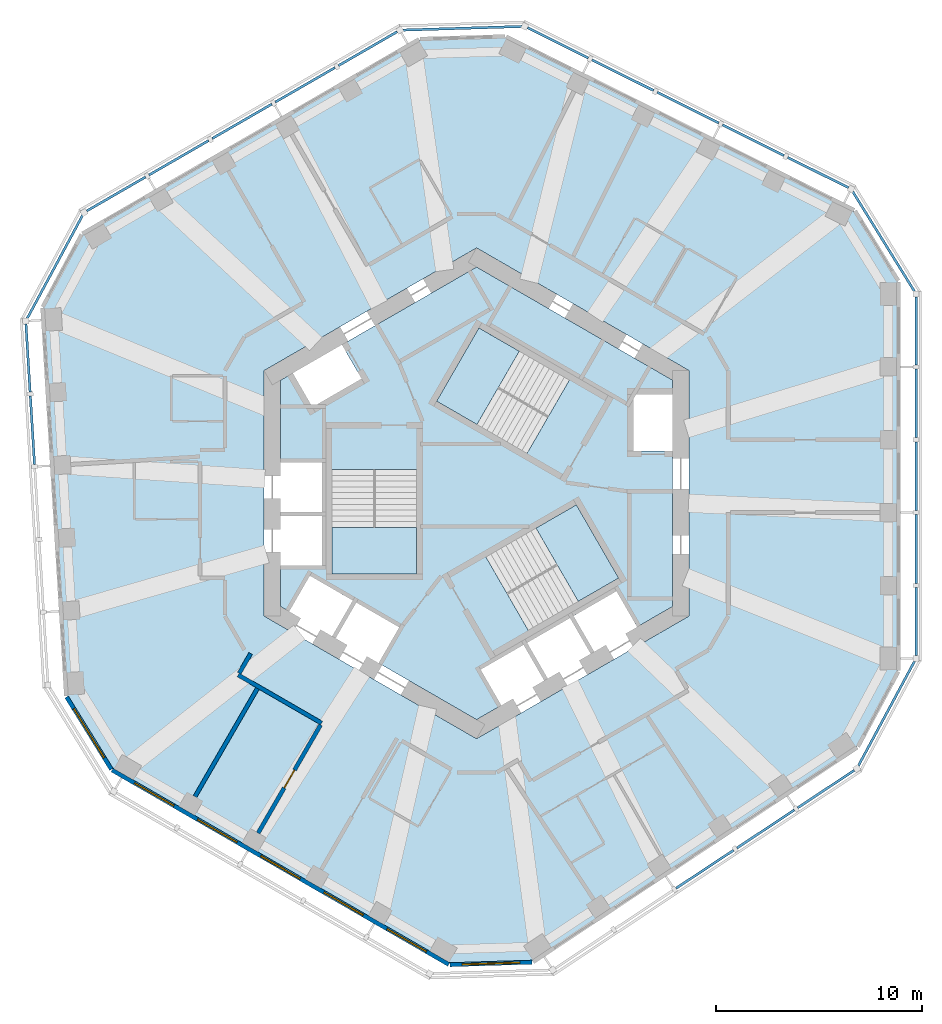
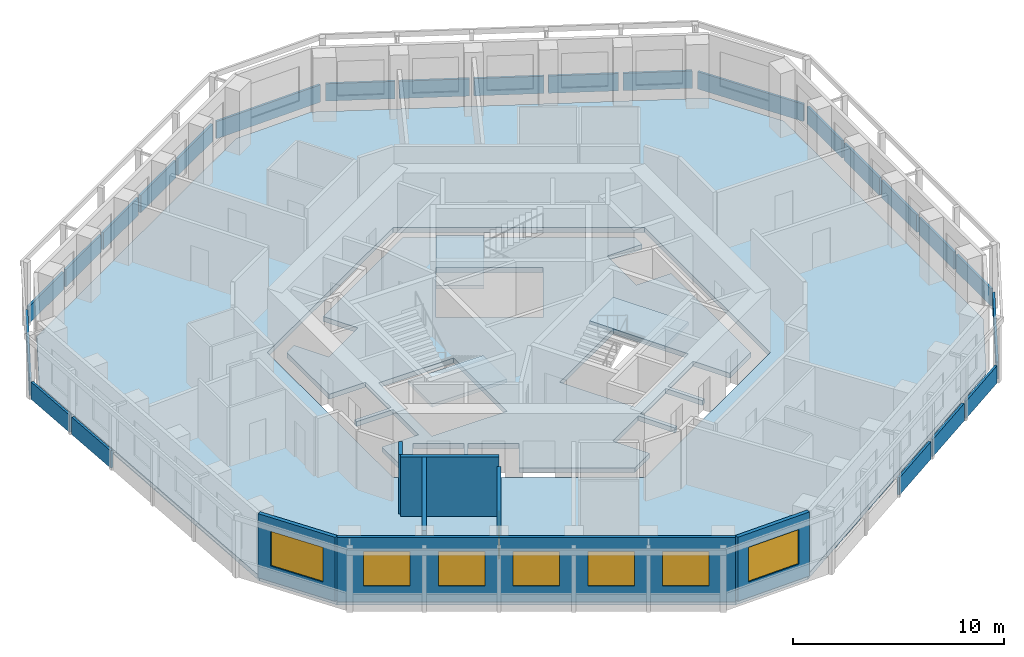
# One storey, part 3 of 11: 24 plates, 7 walls, 7 windows, 5 slabs, 1 door, 8 openings, 12 elements without a shape of their own.
"""IFC4 building model written with IfcOpenShell, lengths in metres."""

from ifc_helpers import new_model, si_unit, direction, frame, frame_2d, origin, origin_2d, place, context, subcontext, project, spatial, polyline, rectangle, outline, extrude, material, layer, layer_set, type_object, element, fill, aggregate, save


model = new_model("IFC4")

# Units and contexts
model_context = context("Model", 3, precision=1e-05, world=origin(), true_north=direction((0.0, 1.0)))
body_context = subcontext(model_context, "Body", "Model", "MODEL_VIEW")
ifc_project = project(units=[si_unit("LENGTHUNIT", "METRE"), si_unit("AREAUNIT", "SQUARE_METRE"), si_unit("VOLUMEUNIT", "CUBIC_METRE"), si_unit("PLANEANGLEUNIT", "RADIAN"), si_unit("MASSUNIT", "GRAM", prefix="KILO")], contexts=[model_context])

# Site, building, storey
site_placement = place(None, origin())
site = spatial("IfcSite", under=ifc_project, at=site_placement, CompositionType="ELEMENT")
building_placement = place(site_placement, origin())
building = spatial("IfcBuilding", under=site, at=building_placement, Name="Vanh Sen Convention Tower", CompositionType="ELEMENT")
storey_placement = place(building_placement, frame((0.0, 0.0, 232.800048828125)))
storey = spatial("IfcBuildingStorey", under=building, at=storey_placement, Name="L57", CompositionType="ELEMENT", Elevation=232.800048828125)

# Slabs
ifc_material_1 = material(Name="Concrete C40/50", Category="concrete")
ifc_layer_1 = layer(ifc_material_1, 0.280029296875)
ifc_layer_set_1 = layer_set([ifc_layer_1], Name="Concrete C40/50")
slab_type_1 = type_object("IfcSlabType", Name="Core slab 280", PredefinedType="FLOOR", material=ifc_layer_set_1)
slab_1_placement = place(storey_placement, frame((0.0, 0.0, -0.280029296875)))
element("IfcSlab", 1, at=slab_1_placement, inside=storey, type_object=slab_type_1, Name="Core slab L57", PredefinedType="FLOOR", context=body_context, shape_type="SweptSolid", body=[
    extrude(outline(polyline([(0.0, 10.9697265625), (9.5, 5.48486328125), (9.5, 4.800048828125), (7.60009765625, 4.800048828125), (7.60009765625, 2.050048828125), (9.5, 2.050048828125), (9.5, -5.48486328125), (7.781005859375, -6.477294921875), (6.781005859375, -4.7451171875), (4.70263671875, -5.9453125), (5.70263671875, -7.67724609375), (5.529296875, -7.777099609375), (4.529296875, -6.045166015625), (2.450927734375, -7.2451171875), (3.450927734375, -8.977294921875), (3.27783203125, -9.0771484375), (2.27783203125, -7.34521484375), (0.19921875, -8.545166015625), (1.19921875, -10.277099609375), (0.0, -10.9697265625), (-4.75, -8.227294921875), (-3.75, -6.4951171875), (-5.82861328125, -5.295166015625), (-6.82861328125, -7.027099609375), (-7.001708984375, -6.92724609375), (-6.001708984375, -5.1953125), (-8.080078125, -3.9951171875), (-9.080078125, -5.727294921875), (-9.5, -5.48486328125), (-9.5, -3.5), (-7.5, -3.5), (-7.5, -1.10009765625), (-9.5, -1.10009765625), (-9.5, -0.89990234375), (-7.5, -0.89990234375), (-7.5, 1.5), (-9.5, 1.5), (-9.5, 5.48486328125), (-8.906982421875, 5.8271484375), (-7.956787109375, 4.181884765625), (-5.575439453125, 5.556884765625), (-6.525390625, 7.2021484375), (0.0, 10.9697265625)]), holes=[polyline([(-7.0, 1.1494140625), (-7.0, -3.909912109375), (-2.89990234375, -3.909912109375), (-2.89990234375, 1.1494140625), (-7.0, 1.1494140625)]), polyline([(2.504638671875, -6.63671875), (6.88623046875, -4.107177734375), (4.836181640625, -0.556396484375), (0.45458984375, -3.086181640625), (2.504638671875, -6.63671875)]), polyline([(0.11376953125, 8.01708984375), (-1.936279296875, 4.466552734375), (2.4453125, 1.936767578125), (4.495361328125, 5.487548828125), (0.11376953125, 8.01708984375)])]), origin(), (0.0, 0.0, 1.0), 0.280029296875),
])
ifc_layer_2 = layer(ifc_material_1, 0.280029296875)
ifc_layer_set_2 = layer_set([ifc_layer_2], Name="Concrete C40/50")
slab_type_2 = type_object("IfcSlabType", Name="Floor slab 280 REI 120", PredefinedType="FLOOR", material=ifc_layer_set_2)
slab_2_placement = place(storey_placement, frame((0.0, 0.0, -0.280029296875)))
element("IfcSlab", 2, at=slab_2_placement, inside=storey, type_object=slab_type_2, Name="Floor slab L57 tower", PredefinedType="FLOOR", context=body_context, shape_type="SweptSolid", body=[
    extrude(outline(polyline([(20.39990234375, -8.602783203125), (20.39990234375, 10.265380859375), (18.289306640625, 13.67626953125), (1.403564453125, 22.09521484375), (-2.749755859375, 21.96826171875), (-19.090087890625, 12.5341796875), (-20.988525390625, 9.000732421875), (-19.8369140625, -9.83203125), (-17.650146484375, -13.365478515625), (-1.309814453125, -22.799560546875), (2.699462890625, -22.677001953125), (18.433349609375, -12.26318359375), (20.39990234375, -8.602783203125)]), holes=[polyline([(0.0, 11.893310546875), (-10.300048828125, 5.94677734375), (-10.300048828125, -5.94677734375), (0.0, -11.893310546875), (10.300048828125, -5.94677734375), (10.300048828125, 5.94677734375), (0.0, 11.893310546875)])]), origin(), (0.0, 0.0, 1.0), 0.280029296875),
])

# Curtain wall, plates
ifc_material_2 = material(Name="Concrete C50/60", Category="concrete")
curtain_wall_type = type_object("IfcCurtainWallType", Name="Outer skin office zone", PredefinedType="NOTDEFINED", material=ifc_material_2)
curtain_wall_1_placement = place(storey_placement, origin())
curtain_wall_1 = element("IfcCurtainWall", 3, at=curtain_wall_1_placement, inside=storey, type_object=curtain_wall_type, Name="OUTER SKIN E L57", PredefinedType="NOTDEFINED")
ifc_layer_3 = layer(ifc_material_2, 0.1201171875)
ifc_layer_set_3 = layer_set([ifc_layer_3], Name="Concrete C50/60")
plate_type = type_object("IfcPlateType", Name="Outer skin precast screen panel 120", PredefinedType="CURTAIN_PANEL", material=ifc_layer_set_3)
plate_1_placement = place(storey_placement, frame((21.300048828125, -6.2109375, 0.0), z_axis=(0.0, 0.0, 1.0), x_axis=(0.0, 1.0, 0.0)))
plate_1 = element("IfcPlate", 4, at=plate_1_placement, type_object=plate_type, Name="OUTER SKIN screen panel E-1", PredefinedType="CURTAIN_PANEL", context=body_context, shape_type="SweptSolid", body=[
    extrude(rectangle(XDim=3.28369140625, YDim=0.1201171875, at=origin_2d()), origin(), (0.0, 0.0, 1.0), 1.0),
])
plate_2_placement = place(storey_placement, frame((21.300048828125, -2.702392578125, 0.0), z_axis=(0.0, 0.0, 1.0), x_axis=(0.0, 1.0, 0.0)))
plate_2 = element("IfcPlate", 5, at=plate_2_placement, type_object=plate_type, Name="OUTER SKIN screen panel E-2", PredefinedType="CURTAIN_PANEL", context=body_context, shape_type="SweptSolid", body=[
    extrude(rectangle(XDim=3.333740234375, YDim=0.1201171875, at=origin_2d()), origin(), (0.0, 0.0, 1.0), 1.0),
])
plate_3_placement = place(storey_placement, frame((21.300048828125, 0.831298828125, 0.0), z_axis=(0.0, 0.0, 1.0), x_axis=(0.0, 1.0, 0.0)))
plate_3 = element("IfcPlate", 6, at=plate_3_placement, type_object=plate_type, Name="OUTER SKIN screen panel E-3", PredefinedType="CURTAIN_PANEL", context=body_context, shape_type="SweptSolid", body=[
    extrude(rectangle(XDim=3.33349609375, YDim=0.1201171875, at=origin_2d()), origin(), (0.0, 0.0, 1.0), 1.0),
])
plate_4_placement = place(storey_placement, frame((21.300048828125, 4.364990234375, 0.0), z_axis=(0.0, 0.0, 1.0), x_axis=(0.0, 1.0, 0.0)))
plate_4 = element("IfcPlate", 7, at=plate_4_placement, type_object=plate_type, Name="OUTER SKIN screen panel E-4", PredefinedType="CURTAIN_PANEL", context=body_context, shape_type="SweptSolid", body=[
    extrude(rectangle(XDim=3.33349609375, YDim=0.1201171875, at=origin_2d()), origin(), (0.0, 0.0, 1.0), 1.0),
])
plate_5_placement = place(storey_placement, frame((21.300048828125, 7.87353515625, 0.0), z_axis=(0.0, 0.0, 1.0), x_axis=(0.0, 1.0, 0.0)))
plate_5 = element("IfcPlate", 8, at=plate_5_placement, type_object=plate_type, Name="OUTER SKIN screen panel E-5", PredefinedType="CURTAIN_PANEL", context=body_context, shape_type="SweptSolid", body=[
    extrude(rectangle(XDim=3.28369140625, YDim=0.1201171875, at=origin_2d()), origin(), (0.0, 0.0, 1.0), 1.0),
])
aggregate(curtain_wall_1, [plate_1, plate_2, plate_3, plate_4, plate_5])

# Curtain wall, plate
curtain_wall_2_placement = place(storey_placement, origin())
curtain_wall_2 = element("IfcCurtainWall", 9, at=curtain_wall_2_placement, inside=storey, type_object=curtain_wall_type, Name="OUTER SKIN CH1 L57", PredefinedType="NOTDEFINED")
plate_6_placement = place(storey_placement, frame((19.726806640625, 12.20751953125, 0.0), z_axis=(0.0, 0.0, 1.0), x_axis=(-0.526216891938, 0.850350388157, 0.0)))
plate_6 = element("IfcPlate", 10, at=plate_6_placement, type_object=plate_type, Name="OUTER SKIN screen panel CH1-1", PredefinedType="CURTAIN_PANEL", context=body_context, shape_type="SweptSolid", body=[
    extrude(rectangle(XDim=5.6787109375, YDim=0.1201171875, at=origin_2d()), origin(), (0.0, 0.0, 1.0), 1.0),
])
aggregate(curtain_wall_2, [plate_6])

# Curtain wall, plates
curtain_wall_3_placement = place(storey_placement, origin())
curtain_wall_3 = element("IfcCurtainWall", 11, at=curtain_wall_3_placement, inside=storey, type_object=curtain_wall_type, Name="OUTER SKIN NE L57", PredefinedType="NOTDEFINED")
plate_7_placement = place(storey_placement, frame((16.55029296875, 15.549072265625, 0.0), z_axis=(0.0, 0.0, 1.0), x_axis=(-0.894930467757, 0.446205622868, 0.0)))
plate_7 = element("IfcPlate", 12, at=plate_7_placement, type_object=plate_type, Name="OUTER SKIN screen panel NE-1", PredefinedType="CURTAIN_PANEL", context=body_context, shape_type="SweptSolid", body=[
    extrude(rectangle(XDim=3.28369140625, YDim=0.1201171875, at=origin_2d()), origin(), (0.0, 0.0, 1.0), 1.0),
])
plate_8_placement = place(storey_placement, frame((13.410400390625, 17.114501953125, 0.0), z_axis=(0.0, 0.0, 1.0), x_axis=(-0.894935919121, 0.446194689197, 0.0)))
plate_8 = element("IfcPlate", 13, at=plate_8_placement, type_object=plate_type, Name="OUTER SKIN screen panel NE-2", PredefinedType="CURTAIN_PANEL", context=body_context, shape_type="SweptSolid", body=[
    extrude(rectangle(XDim=3.333740234375, YDim=0.1201171875, at=origin_2d()), origin(), (0.0, 0.0, 1.0), 1.0),
])
plate_9_placement = place(storey_placement, frame((10.248046875, 18.691162109375, 0.0), z_axis=(0.0, 0.0, 1.0), x_axis=(-0.894935919121, 0.446194689197, 0.0)))
plate_9 = element("IfcPlate", 14, at=plate_9_placement, type_object=plate_type, Name="OUTER SKIN screen panel NE-3", PredefinedType="CURTAIN_PANEL", context=body_context, shape_type="SweptSolid", body=[
    extrude(rectangle(XDim=3.333740234375, YDim=0.1201171875, at=origin_2d()), origin(), (0.0, 0.0, 1.0), 1.0),
])
plate_10_placement = place(storey_placement, frame((7.085693359375, 20.267822265625, 0.0), z_axis=(0.0, 0.0, 1.0), x_axis=(-0.894935919121, 0.446194689197, 0.0)))
plate_10 = element("IfcPlate", 15, at=plate_10_placement, type_object=plate_type, Name="OUTER SKIN screen panel NE-4", PredefinedType="CURTAIN_PANEL", context=body_context, shape_type="SweptSolid", body=[
    extrude(rectangle(XDim=3.333740234375, YDim=0.1201171875, at=origin_2d()), origin(), (0.0, 0.0, 1.0), 1.0),
])
plate_11_placement = place(storey_placement, frame((3.945556640625, 21.83349609375, 0.0), z_axis=(0.0, 0.0, 1.0), x_axis=(-0.894930467757, 0.446205622868, 0.0)))
plate_11 = element("IfcPlate", 16, at=plate_11_placement, type_object=plate_type, Name="OUTER SKIN screen panel NE-5", PredefinedType="CURTAIN_PANEL", context=body_context, shape_type="SweptSolid", body=[
    extrude(rectangle(XDim=3.28369140625, YDim=0.1201171875, at=origin_2d()), origin(), (0.0, 0.0, 1.0), 1.0),
])
aggregate(curtain_wall_3, [plate_7, plate_8, plate_9, plate_10, plate_11])

# Curtain wall, plate
curtain_wall_4_placement = place(storey_placement, origin())
curtain_wall_4 = element("IfcCurtainWall", 17, at=curtain_wall_4_placement, inside=storey, type_object=curtain_wall_type, Name="OUTER SKIN CH2 L57", PredefinedType="NOTDEFINED")
plate_12_placement = place(storey_placement, frame((-0.688720703125, 22.540283203125, 0.0), z_axis=(0.0, 0.0, 1.0), x_axis=(-0.999533430924, -0.030543746755, 0.0)))
plate_12 = element("IfcPlate", 18, at=plate_12_placement, type_object=plate_type, Name="OUTER SKIN screen panel CH2-1", PredefinedType="CURTAIN_PANEL", context=body_context, shape_type="SweptSolid", body=[
    extrude(rectangle(XDim=5.764404296875, YDim=0.1201171875, at=origin_2d()), origin(), (0.0, 0.0, 1.0), 1.0),
])
aggregate(curtain_wall_4, [plate_12])

# Curtain wall, plates
curtain_wall_5_placement = place(storey_placement, origin())
curtain_wall_5 = element("IfcCurtainWall", 19, at=curtain_wall_5_placement, inside=storey, type_object=curtain_wall_type, Name="OUTER SKIN NW L57", PredefinedType="NOTDEFINED")
plate_13_placement = place(storey_placement, frame((-5.271240234375, 21.5517578125, 0.0), z_axis=(0.0, 0.0, 1.0), x_axis=(-0.866026276448, -0.4999984885, 0.0)))
plate_13 = element("IfcPlate", 20, at=plate_13_placement, type_object=plate_type, Name="OUTER SKIN screen panel NW-1", PredefinedType="CURTAIN_PANEL", context=body_context, shape_type="SweptSolid", body=[
    extrude(rectangle(XDim=3.28369140625, YDim=0.1201171875, at=origin_2d()), origin(), (0.0, 0.0, 1.0), 1.0),
])
plate_14_placement = place(storey_placement, frame((-8.309814453125, 19.797607421875, 0.0), z_axis=(0.0, 0.0, 1.0), x_axis=(-0.866026276448, -0.4999984885, 0.0)))
plate_14 = element("IfcPlate", 21, at=plate_14_placement, type_object=plate_type, Name="OUTER SKIN screen panel NW-2", PredefinedType="CURTAIN_PANEL", context=body_context, shape_type="SweptSolid", body=[
    extrude(rectangle(XDim=3.33349609375, YDim=0.1201171875, at=origin_2d()), origin(), (0.0, 0.0, 1.0), 1.0),
])
plate_15_placement = place(storey_placement, frame((-11.369873046875, 18.03076171875, 0.0), z_axis=(0.0, 0.0, 1.0), x_axis=(-0.866026276448, -0.4999984885, 0.0)))
plate_15 = element("IfcPlate", 22, at=plate_15_placement, type_object=plate_type, Name="OUTER SKIN screen panel NW-3", PredefinedType="CURTAIN_PANEL", context=body_context, shape_type="SweptSolid", body=[
    extrude(rectangle(XDim=3.33349609375, YDim=0.1201171875, at=origin_2d()), origin(), (0.0, 0.0, 1.0), 1.0),
])
plate_16_placement = place(storey_placement, frame((-14.43017578125, 16.263916015625, 0.0), z_axis=(0.0, 0.0, 1.0), x_axis=(-0.866014058921, -0.500019649364, 0.0)))
plate_16 = element("IfcPlate", 23, at=plate_16_placement, type_object=plate_type, Name="OUTER SKIN screen panel NW-4", PredefinedType="CURTAIN_PANEL", context=body_context, shape_type="SweptSolid", body=[
    extrude(rectangle(XDim=3.333740234375, YDim=0.1201171875, at=origin_2d()), origin(), (0.0, 0.0, 1.0), 1.0),
])
plate_17_placement = place(storey_placement, frame((-17.46875, 14.509521484375, 0.0), z_axis=(0.0, 0.0, 1.0), x_axis=(-0.866033257659, -0.499986396443, 0.0)))
plate_17 = element("IfcPlate", 24, at=plate_17_placement, type_object=plate_type, Name="OUTER SKIN screen panel NW-5", PredefinedType="CURTAIN_PANEL", context=body_context, shape_type="SweptSolid", body=[
    extrude(rectangle(XDim=3.28369140625, YDim=0.1201171875, at=origin_2d()), origin(), (0.0, 0.0, 1.0), 1.0),
])
aggregate(curtain_wall_5, [plate_13, plate_14, plate_15, plate_16, plate_17])

# Curtain wall, plate
curtain_wall_6_placement = place(storey_placement, origin())
curtain_wall_6 = element("IfcCurtainWall", 25, at=curtain_wall_6_placement, inside=storey, type_object=curtain_wall_type, Name="OUTER SKIN CH3 L57", PredefinedType="NOTDEFINED")
plate_18_placement = place(storey_placement, frame((-20.435302734375, 10.980224609375, 0.0), z_axis=(0.0, 0.0, 1.0), x_axis=(-0.473307367584, -0.880897346909, 0.0)))
plate_18 = element("IfcPlate", 26, at=plate_18_placement, type_object=plate_type, Name="OUTER SKIN screen panel CH3-1", PredefinedType="CURTAIN_PANEL", context=body_context, shape_type="SweptSolid", body=[
    extrude(rectangle(XDim=5.6787109375, YDim=0.1201171875, at=origin_2d()), origin(), (0.0, 0.0, 1.0), 1.0),
])
aggregate(curtain_wall_6, [plate_18])

# Curtain wall, plates
curtain_wall_7_placement = place(storey_placement, origin())
curtain_wall_7 = element("IfcCurtainWall", 27, at=curtain_wall_7_placement, inside=storey, type_object=curtain_wall_type, Name="OUTER SKIN W L57", PredefinedType="NOTDEFINED")
plate_19_placement = place(storey_placement, frame((-21.740966796875, 6.55859375, 0.0), z_axis=(0.0, 0.0, 1.0), x_axis=(0.061043313312, -0.998135118058, 0.0)))
plate_19 = element("IfcPlate", 28, at=plate_19_placement, type_object=plate_type, Name="OUTER SKIN screen panel W-1", PredefinedType="CURTAIN_PANEL", context=body_context, shape_type="SweptSolid", body=[
    extrude(rectangle(XDim=3.28369140625, YDim=0.1201171875, at=origin_2d()), origin(), (0.0, 0.0, 1.0), 1.0),
])
plate_20_placement = place(storey_placement, frame((-21.526611328125, 3.056396484375, 0.0), z_axis=(0.0, 0.0, 1.0), x_axis=(0.061041571238, -0.998135224597, 0.0)))
plate_20 = element("IfcPlate", 29, at=plate_20_placement, type_object=plate_type, Name="OUTER SKIN screen panel W-2", PredefinedType="CURTAIN_PANEL", context=body_context, shape_type="SweptSolid", body=[
    extrude(rectangle(XDim=3.333740234375, YDim=0.1201171875, at=origin_2d()), origin(), (0.0, 0.0, 1.0), 1.0),
])
aggregate(curtain_wall_7, [plate_19, plate_20])

curtain_wall_8_placement = place(storey_placement, origin())
curtain_wall_8 = element("IfcCurtainWall", 30, at=curtain_wall_8_placement, inside=storey, type_object=curtain_wall_type, Name="OUTER SKIN SE L57", PredefinedType="NOTDEFINED")
plate_21_placement = place(storey_placement, frame((11.06298828125, -18.220703125, 0.0), z_axis=(0.0, 0.0, 1.0), x_axis=(0.833896418343, 0.551920975752, 0.0)))
plate_21 = element("IfcPlate", 31, at=plate_21_placement, type_object=plate_type, Name="OUTER SKIN screen panel SE-3", PredefinedType="CURTAIN_PANEL", context=body_context, shape_type="SweptSolid", body=[
    extrude(rectangle(XDim=3.333740234375, YDim=0.1201171875, at=origin_2d()), origin(), (0.0, 0.0, 1.0), 1.0),
])
plate_22_placement = place(storey_placement, frame((14.009765625, -16.270263671875, 0.0), z_axis=(0.0, 0.0, 1.0), x_axis=(0.833874262143, 0.551954450055, 0.0)))
plate_22 = element("IfcPlate", 32, at=plate_22_placement, type_object=plate_type, Name="OUTER SKIN screen panel SE-4", PredefinedType="CURTAIN_PANEL", context=body_context, shape_type="SweptSolid", body=[
    extrude(rectangle(XDim=3.33349609375, YDim=0.1201171875, at=origin_2d()), origin(), (0.0, 0.0, 1.0), 1.0),
])
plate_23_placement = place(storey_placement, frame((16.935546875, -14.333740234375, 0.0), z_axis=(0.0, 0.0, 1.0), x_axis=(0.833896418343, 0.551920975752, 0.0)))
plate_23 = element("IfcPlate", 33, at=plate_23_placement, type_object=plate_type, Name="OUTER SKIN screen panel SE-5", PredefinedType="CURTAIN_PANEL", context=body_context, shape_type="SweptSolid", body=[
    extrude(rectangle(XDim=3.28369140625, YDim=0.1201171875, at=origin_2d()), origin(), (0.0, 0.0, 1.0), 1.0),
])
aggregate(curtain_wall_8, [plate_21, plate_22, plate_23])

# Curtain wall, plate
curtain_wall_9_placement = place(storey_placement, origin())
curtain_wall_9 = element("IfcCurtainWall", 34, at=curtain_wall_9_placement, inside=storey, type_object=curtain_wall_type, Name="OUTER SKIN CH6 L57", PredefinedType="NOTDEFINED")
plate_24_placement = place(storey_placement, frame((19.864990234375, -10.673828125, 0.0), z_axis=(0.0, 0.0, 1.0), x_axis=(0.473313517396, 0.880894042579, 0.0)))
plate_24 = element("IfcPlate", 35, at=plate_24_placement, type_object=plate_type, Name="OUTER SKIN screen panel CH6-1", PredefinedType="CURTAIN_PANEL", context=body_context, shape_type="SweptSolid", body=[
    extrude(rectangle(XDim=5.76416015625, YDim=0.1201171875, at=origin_2d()), origin(), (0.0, 0.0, 1.0), 1.0),
])
aggregate(curtain_wall_9, [plate_24])

# Stair, slab
ifc_material_3 = material(Name="Concrete C50/60", Category="concrete")
stair_type_1 = type_object("IfcStairType", Name="Exit stair ST1 22 risers at 168.2", PredefinedType="HALF_TURN_STAIR", material=ifc_material_3)
stair_1_placement = place(storey_placement, origin())
stair_1 = element("IfcStair", 36, at=stair_1_placement, inside=storey, type_object=stair_type_1, Name="Exit stair ST1 L57", PredefinedType="HALF_TURN_STAIR")
ifc_layer_4 = layer(ifc_material_1, 0.199951171875)
ifc_layer_set_4 = layer_set([ifc_layer_4], Name="Concrete C40/50")
slab_type_3 = type_object("IfcSlabType", Name="Stair landing 200", PredefinedType="LANDING", material=ifc_layer_set_4)
slab_3_placement = place(storey_placement, frame((0.0, 0.0, 1.64990234375)))
slab_3 = element("IfcSlab", 37, at=slab_3_placement, type_object=slab_type_3, Name="ST1 landing 1", PredefinedType="LANDING", context=body_context, shape_type="SweptSolid", body=[
    extrude(outline(polyline([(2.07177734375, 6.88671875), (0.11376953125, 8.01708984375), (-1.936279296875, 4.466552734375), (0.021728515625, 3.336181640625), (2.07177734375, 6.88671875)])), origin(), (0.0, 0.0, 1.0), 0.199951171875),
])
aggregate(stair_1, [slab_3])

stair_type_2 = type_object("IfcStairType", Name="Exit stair ST2 22 risers at 168.2", PredefinedType="HALF_TURN_STAIR", material=ifc_material_3)
stair_2_placement = place(storey_placement, origin())
stair_2 = element("IfcStair", 38, at=stair_2_placement, inside=storey, type_object=stair_type_2, Name="Exit stair ST2 L57", PredefinedType="HALF_TURN_STAIR")
slab_4_placement = place(storey_placement, frame((0.0, 0.0, 1.64990234375)))
slab_4 = element("IfcSlab", 39, at=slab_4_placement, type_object=slab_type_3, Name="ST2 landing 1", PredefinedType="LANDING", context=body_context, shape_type="SweptSolid", body=[
    extrude(outline(polyline([(-7.0, -1.6494140625), (-7.0, -3.909912109375), (-2.89990234375, -3.909912109375), (-2.89990234375, -1.6494140625), (-7.0, -1.6494140625)])), origin(), (0.0, 0.0, 1.0), 0.199951171875),
])
aggregate(stair_2, [slab_4])

stair_type_3 = type_object("IfcStairType", Name="Exit stair ST3 22 risers at 168.2", PredefinedType="HALF_TURN_STAIR", material=ifc_material_3)
stair_3_placement = place(storey_placement, origin())
stair_3 = element("IfcStair", 40, at=stair_3_placement, inside=storey, type_object=stair_type_3, Name="Exit stair ST3 L57", PredefinedType="HALF_TURN_STAIR")
slab_5_placement = place(storey_placement, frame((0.0, 0.0, 1.64990234375)))
slab_5 = element("IfcSlab", 41, at=slab_5_placement, type_object=slab_type_3, Name="ST3 landing 1", PredefinedType="LANDING", context=body_context, shape_type="SweptSolid", body=[
    extrude(outline(polyline([(4.92822265625, -5.237548828125), (6.88623046875, -4.107177734375), (4.836181640625, -0.556396484375), (2.87841796875, -1.686767578125), (4.92822265625, -5.237548828125)])), origin(), (0.0, 0.0, 1.0), 0.199951171875),
])
aggregate(stair_3, [slab_5])

# Walls
ifc_material_4 = material(Name="Gypsum board on steel studs with mineral wool", Category="steel")
ifc_layer_5 = layer(ifc_material_4, 0.199951171875)
ifc_layer_set_5 = layer_set([ifc_layer_5], Name="Gypsum board on steel studs with mineral wool")
wall_type_1 = type_object("IfcWallType", Name="Corridor partition wall 200", PredefinedType="PARTITIONING", material=ifc_layer_set_5)
wall_1_placement = place(storey_placement, frame((-11.551025390625, -8.80517578125, 0.0), z_axis=(0.0, 0.0, 1.0), x_axis=(0.866038310922, -0.499977643516, 0.0)))
element("IfcWall", 42, at=wall_1_placement, inside=storey, type_object=wall_type_1, Name="Corridor partition wall 200", PredefinedType="PARTITIONING", context=body_context, shape_type="SweptSolid", body=[
    extrude(rectangle(XDim=4.665283203125, YDim=0.199951171875, at=frame_2d((2.33251953125, 0.0))), origin(), (0.0, 0.0, 1.0), 3.419921875),
])
wall_2_placement = place(storey_placement, frame((-10.95068359375, -7.764892578125, 0.0), z_axis=(0.0, 0.0, 1.0), x_axis=(-0.499978356969, -0.866037899034, 0.0)))
element("IfcWall", 43, at=wall_2_placement, inside=storey, type_object=wall_type_1, Name="Corridor partition wall 200", PredefinedType="PARTITIONING", context=body_context, shape_type="SweptSolid", body=[
    extrude(rectangle(XDim=1.10107421875, YDim=0.199951171875, at=frame_2d((0.550537109375, 0.0))), origin(), (0.0, 0.0, 1.0), 3.419921875),
])

# Wall, opening, door
wall_3_placement = place(storey_placement, frame((-10.585205078125, -16.462890625, 0.0), z_axis=(0.0, 0.0, 1.0), x_axis=(0.499993802756, 0.866028981735, 0.0)))
wall_3 = element("IfcWall", 44, at=wall_3_placement, inside=storey, type_object=wall_type_1, Name="Corridor partition wall 200", PredefinedType="PARTITIONING", context=body_context, shape_type="SweptSolid", body=[
    extrude(rectangle(XDim=6.048828125, YDim=0.199951171875, at=frame_2d((3.0244140625, 0.0))), origin(), (0.0, 0.0, 1.0), 2.869873046875),
])
opening_1_placement = place(wall_3_placement, frame((2.5244140625, 0.0, 0.0)))
opening_1 = element("IfcOpeningElement", 45, at=opening_1_placement, cuts=wall_3, Name="Opening D56111", PredefinedType="OPENING", context=body_context, shape_type="SweptSolid", body=[
    extrude(rectangle(XDim=1.0, YDim=2.10009765625, at=frame_2d((0.5, 1.050048828125))), frame((0.0, 0.10986328125, 0.0), z_axis=(0.0, -1.0, 0.0), x_axis=(1.0, 0.0, 0.0)), (0.0, 0.0, 1.0), 0.219970703125),
])
ifc_material_5 = material(Name="Glazed fire door in steel frame", Category="steel")
door_type = type_object("IfcDoorType", Name="Tenant entrance door 1000", OperationType="SINGLE_SWING_LEFT", PredefinedType="DOOR", material=ifc_material_5)
door_placement = place(opening_1_placement, origin())
door = element("IfcDoor", 46, at=door_placement, inside=storey, type_object=door_type, Name="Tenant suite entrance door D56111", OperationType="SINGLE_SWING_LEFT", OverallHeight=2.10009765625, OverallWidth=1.0, PredefinedType="DOOR", context=body_context, shape_type="SweptSolid", body=[
    extrude(rectangle(XDim=1.0, YDim=2.10009765625, at=frame_2d((0.5, 1.050048828125))), frame((0.0, 0.02490234375, 0.0), z_axis=(0.0, -1.0, 0.0), x_axis=(1.0, 0.0, 0.0)), (0.0, 0.0, 1.0), 0.050048828125),
])
fill(opening_1, door)

# Wall, opening, window
ifc_material_6 = material(Name="Insulated lightweight infill wall")
ifc_layer_6 = layer(ifc_material_6, 0.199951171875)
ifc_layer_set_6 = layer_set([ifc_layer_6], Name="Insulated lightweight infill wall")
wall_type_2 = type_object("IfcWallType", Name="External wall 200", PredefinedType="STANDARD", material=ifc_layer_set_6)
wall_4_placement = place(storey_placement, frame((-19.872802734375, -9.869140625, 0.0), z_axis=(0.0, 0.0, 1.0), x_axis=(0.52626914263, -0.850318051975, 0.0)))
wall_4 = element("IfcWall", 47, at=wall_4_placement, inside=storey, type_object=wall_type_2, Name="External wall CH4 L57", PredefinedType="STANDARD", context=body_context, shape_type="SweptSolid", body=[
    extrude(rectangle(XDim=4.130126953125, YDim=0.199951171875, at=frame_2d((2.06494140625, 0.0))), origin(), (0.0, 0.0, 1.0), 3.699951171875),
])
opening_2_placement = place(wall_4_placement, frame((0.6650390625, 0.0, 0.89990234375)))
opening_2 = element("IfcOpeningElement", 48, at=opening_2_placement, cuts=wall_4, Name="Opening WO4-CH41", PredefinedType="OPENING", context=body_context, shape_type="SweptSolid", body=[
    extrude(rectangle(XDim=2.800048828125, YDim=2.0, at=frame_2d((1.39990234375, 1.0))), frame((0.0, 0.10986328125, 0.0), z_axis=(0.0, -1.0, 0.0), x_axis=(1.0, 0.0, 0.0)), (0.0, 0.0, 1.0), 0.219970703125),
])
ifc_material_7 = material(Name="Aluminium frame with clear low-emissivity glass", Category="aluminium")
window_type_1 = type_object("IfcWindowType", Name="Office window 2800 x 2000", PartitioningType="SINGLE_PANEL", PredefinedType="WINDOW", material=ifc_material_7)
window_1_placement = place(opening_2_placement, origin())
window_1 = element("IfcWindow", 49, at=window_1_placement, inside=storey, type_object=window_type_1, Name="Window WO4-CH41", OverallHeight=2.0, OverallWidth=2.800048828125, PartitioningType="SINGLE_PANEL", PredefinedType="WINDOW", context=body_context, shape_type="SweptSolid", body=[
    extrude(rectangle(XDim=2.800048828125, YDim=2.0, at=frame_2d((1.39990234375, 1.0))), frame((0.0, 0.030029296875, 0.0), z_axis=(0.0, -1.0, 0.0), x_axis=(1.0, 0.0, 0.0)), (0.0, 0.0, 1.0), 0.06005859375),
])
fill(opening_2, window_1)

# Wall, openings, windows
wall_5_placement = place(storey_placement, frame((-17.664306640625, -13.4150390625, 0.0), z_axis=(0.0, 0.0, 1.0), x_axis=(0.866026555358, -0.49999800541, 0.0)))
wall_5 = element("IfcWall", 50, at=wall_5_placement, inside=storey, type_object=wall_type_2, Name="External wall SW L57", PredefinedType="STANDARD", context=body_context, shape_type="SweptSolid", body=[
    extrude(rectangle(XDim=18.84130859375, YDim=0.199951171875, at=frame_2d((9.420654296875, 0.0))), origin(), (0.0, 0.0, 1.0), 3.699951171875),
])
opening_3_placement = place(wall_5_placement, frame((1.254150390625, 0.0, 0.89990234375)))
opening_3 = element("IfcOpeningElement", 51, at=opening_3_placement, cuts=wall_5, Name="Opening WO3-SW1", PredefinedType="OPENING", context=body_context, shape_type="SweptSolid", body=[
    extrude(rectangle(XDim=2.199951171875, YDim=2.0, at=frame_2d((1.10009765625, 1.0))), frame((0.0, 0.10986328125, 0.0), z_axis=(0.0, -1.0, 0.0), x_axis=(1.0, 0.0, 0.0)), (0.0, 0.0, 1.0), 0.219970703125),
])
opening_4_placement = place(wall_5_placement, frame((4.787841796875, 0.0, 0.89990234375)))
opening_4 = element("IfcOpeningElement", 52, at=opening_4_placement, cuts=wall_5, Name="Opening WO3-SW2", PredefinedType="OPENING", context=body_context, shape_type="SweptSolid", body=[
    extrude(rectangle(XDim=2.199951171875, YDim=2.0, at=frame_2d((1.10009765625, 1.0))), frame((0.0, 0.10986328125, 0.0), z_axis=(0.0, -1.0, 0.0), x_axis=(1.0, 0.0, 0.0)), (0.0, 0.0, 1.0), 0.219970703125),
])
opening_5_placement = place(wall_5_placement, frame((8.321533203125, 0.0, 0.89990234375)))
opening_5 = element("IfcOpeningElement", 53, at=opening_5_placement, cuts=wall_5, Name="Opening WO3-SW3", PredefinedType="OPENING", context=body_context, shape_type="SweptSolid", body=[
    extrude(rectangle(XDim=2.199951171875, YDim=2.0, at=frame_2d((1.10009765625, 1.0))), frame((0.0, 0.10986328125, 0.0), z_axis=(0.0, -1.0, 0.0), x_axis=(1.0, 0.0, 0.0)), (0.0, 0.0, 1.0), 0.219970703125),
])
opening_6_placement = place(wall_5_placement, frame((11.85498046875, 0.0, 0.89990234375)))
opening_6 = element("IfcOpeningElement", 54, at=opening_6_placement, cuts=wall_5, Name="Opening WO3-SW4", PredefinedType="OPENING", context=body_context, shape_type="SweptSolid", body=[
    extrude(rectangle(XDim=2.199951171875, YDim=2.0, at=frame_2d((1.10009765625, 1.0))), frame((0.0, 0.10986328125, 0.0), z_axis=(0.0, -1.0, 0.0), x_axis=(1.0, 0.0, 0.0)), (0.0, 0.0, 1.0), 0.219970703125),
])
opening_7_placement = place(wall_5_placement, frame((15.388671875, 0.0, 0.89990234375)))
opening_7 = element("IfcOpeningElement", 55, at=opening_7_placement, cuts=wall_5, Name="Opening WO3-SW5", PredefinedType="OPENING", context=body_context, shape_type="SweptSolid", body=[
    extrude(rectangle(XDim=2.199951171875, YDim=2.0, at=frame_2d((1.10009765625, 1.0))), frame((0.0, 0.10986328125, 0.0), z_axis=(0.0, -1.0, 0.0), x_axis=(1.0, 0.0, 0.0)), (0.0, 0.0, 1.0), 0.219970703125),
])
window_type_2 = type_object("IfcWindowType", Name="Office window 2200 x 2000", PartitioningType="SINGLE_PANEL", PredefinedType="WINDOW", material=ifc_material_7)
window_2_placement = place(opening_3_placement, origin())
window_2 = element("IfcWindow", 56, at=window_2_placement, inside=storey, type_object=window_type_2, Name="Window WO3-SW1", OverallHeight=2.0, OverallWidth=2.199951171875, PartitioningType="SINGLE_PANEL", PredefinedType="WINDOW", context=body_context, shape_type="SweptSolid", body=[
    extrude(rectangle(XDim=2.199951171875, YDim=2.0, at=frame_2d((1.10009765625, 1.0))), frame((0.0, 0.030029296875, 0.0), z_axis=(0.0, -1.0, 0.0), x_axis=(1.0, 0.0, 0.0)), (0.0, 0.0, 1.0), 0.06005859375),
])
fill(opening_3, window_2)
window_3_placement = place(opening_4_placement, origin())
window_3 = element("IfcWindow", 57, at=window_3_placement, inside=storey, type_object=window_type_2, Name="Window WO3-SW2", OverallHeight=2.0, OverallWidth=2.199951171875, PartitioningType="SINGLE_PANEL", PredefinedType="WINDOW", context=body_context, shape_type="SweptSolid", body=[
    extrude(rectangle(XDim=2.199951171875, YDim=2.0, at=frame_2d((1.10009765625, 1.0))), frame((0.0, 0.030029296875, 0.0), z_axis=(0.0, -1.0, 0.0), x_axis=(1.0, 0.0, 0.0)), (0.0, 0.0, 1.0), 0.06005859375),
])
fill(opening_4, window_3)
window_4_placement = place(opening_5_placement, origin())
window_4 = element("IfcWindow", 58, at=window_4_placement, inside=storey, type_object=window_type_2, Name="Window WO3-SW3", OverallHeight=2.0, OverallWidth=2.199951171875, PartitioningType="SINGLE_PANEL", PredefinedType="WINDOW", context=body_context, shape_type="SweptSolid", body=[
    extrude(rectangle(XDim=2.199951171875, YDim=2.0, at=frame_2d((1.10009765625, 1.0))), frame((0.0, 0.030029296875, 0.0), z_axis=(0.0, -1.0, 0.0), x_axis=(1.0, 0.0, 0.0)), (0.0, 0.0, 1.0), 0.06005859375),
])
fill(opening_5, window_4)
window_5_placement = place(opening_6_placement, origin())
window_5 = element("IfcWindow", 59, at=window_5_placement, inside=storey, type_object=window_type_2, Name="Window WO3-SW4", OverallHeight=2.0, OverallWidth=2.199951171875, PartitioningType="SINGLE_PANEL", PredefinedType="WINDOW", context=body_context, shape_type="SweptSolid", body=[
    extrude(rectangle(XDim=2.199951171875, YDim=2.0, at=frame_2d((1.10009765625, 1.0))), frame((0.0, 0.030029296875, 0.0), z_axis=(0.0, -1.0, 0.0), x_axis=(1.0, 0.0, 0.0)), (0.0, 0.0, 1.0), 0.06005859375),
])
fill(opening_6, window_5)
window_6_placement = place(opening_7_placement, origin())
window_6 = element("IfcWindow", 60, at=window_6_placement, inside=storey, type_object=window_type_2, Name="Window WO3-SW5", OverallHeight=2.0, OverallWidth=2.199951171875, PartitioningType="SINGLE_PANEL", PredefinedType="WINDOW", context=body_context, shape_type="SweptSolid", body=[
    extrude(rectangle(XDim=2.199951171875, YDim=2.0, at=frame_2d((1.10009765625, 1.0))), frame((0.0, 0.030029296875, 0.0), z_axis=(0.0, -1.0, 0.0), x_axis=(1.0, 0.0, 0.0)), (0.0, 0.0, 1.0), 0.06005859375),
])
fill(opening_7, window_6)

# Wall, opening, window
wall_6_placement = place(storey_placement, frame((-1.294189453125, -22.84912109375, 0.0), z_axis=(0.0, 0.0, 1.0), x_axis=(0.999533952558, 0.030526671678, 0.0)))
wall_6 = element("IfcWall", 61, at=wall_6_placement, inside=storey, type_object=wall_type_2, Name="External wall CH5 L57", PredefinedType="STANDARD", context=body_context, shape_type="SweptSolid", body=[
    extrude(rectangle(XDim=3.98291015625, YDim=0.199951171875, at=frame_2d((1.991455078125, 0.0))), origin(), (0.0, 0.0, 1.0), 3.699951171875),
])
opening_8_placement = place(wall_6_placement, frame((0.59130859375, 0.0, 0.89990234375)))
opening_8 = element("IfcOpeningElement", 62, at=opening_8_placement, cuts=wall_6, Name="Opening WO4-CH51", PredefinedType="OPENING", context=body_context, shape_type="SweptSolid", body=[
    extrude(rectangle(XDim=2.800048828125, YDim=2.0, at=frame_2d((1.39990234375, 1.0))), frame((0.0, 0.10986328125, 0.0), z_axis=(0.0, -1.0, 0.0), x_axis=(1.0, 0.0, 0.0)), (0.0, 0.0, 1.0), 0.219970703125),
])
window_7_placement = place(opening_8_placement, origin())
window_7 = element("IfcWindow", 63, at=window_7_placement, inside=storey, type_object=window_type_1, Name="Window WO4-CH51", OverallHeight=2.0, OverallWidth=2.800048828125, PartitioningType="SINGLE_PANEL", PredefinedType="WINDOW", context=body_context, shape_type="SweptSolid", body=[
    extrude(rectangle(XDim=2.800048828125, YDim=2.0, at=frame_2d((1.39990234375, 1.0))), frame((0.0, 0.030029296875, 0.0), z_axis=(0.0, -1.0, 0.0), x_axis=(1.0, 0.0, 0.0)), (0.0, 0.0, 1.0), 0.06005859375),
])
fill(opening_8, window_7)

# Wall
ifc_layer_7 = layer(ifc_material_4, 0.199951171875)
ifc_layer_set_7 = layer_set([ifc_layer_7], Name="Gypsum board on steel studs with mineral wool")
wall_type_3 = type_object("IfcWallType", Name="Tenant suite wall 200", PredefinedType="PARTITIONING", material=ifc_layer_set_7)
wall_7_placement = place(storey_placement, frame((-13.6455078125, -14.6962890625, 0.0), z_axis=(0.0, 0.0, 1.0), x_axis=(0.500006596359, 0.866021595341, 0.0)))
element("IfcWall", 64, at=wall_7_placement, inside=storey, type_object=wall_type_3, Name="Tenant suite wall 200", PredefinedType="PARTITIONING", context=body_context, shape_type="SweptSolid", body=[
    extrude(rectangle(XDim=6.04931640625, YDim=0.199951171875, at=frame_2d((3.024658203125, 0.0))), origin(), (0.0, 0.0, 1.0), 3.419921875),
])

save(model, "model.ifc")
